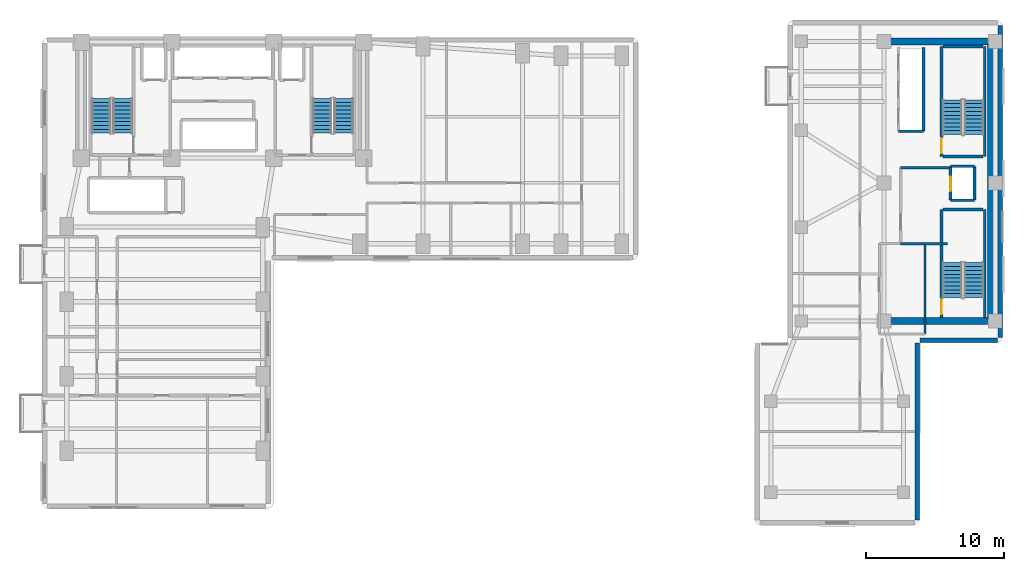
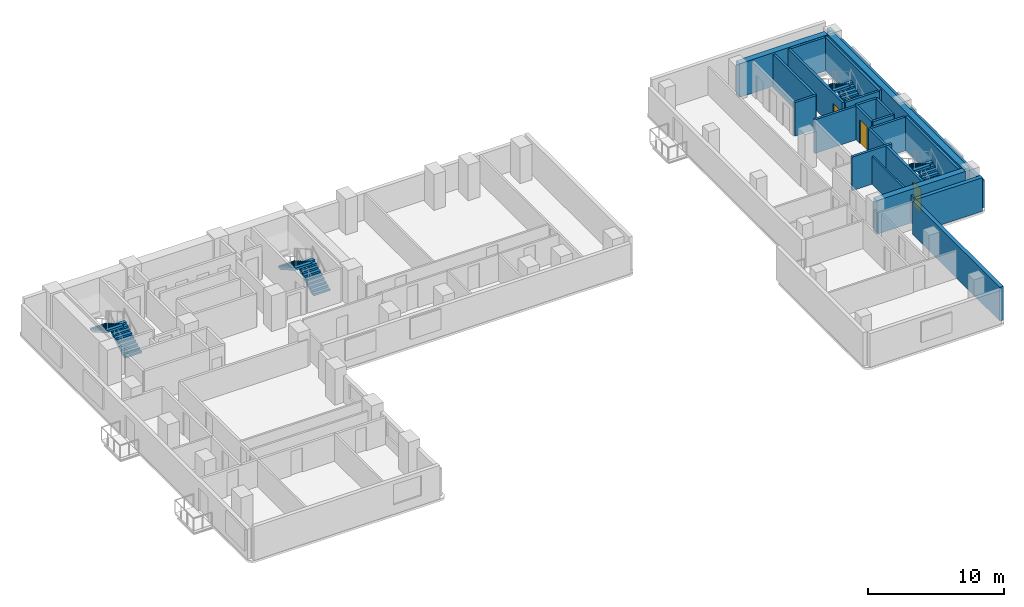
# One storey, part 12 of 15: 22 walls, 8 stair flights, 3 doors, 3 openings, 4 elements without a shape of their own.
"""IFC4 building model written with IfcOpenShell, lengths in metres."""

from ifc_helpers import new_model, si_unit, direction, frame, frame_2d, origin, place, context, subcontext, project, spatial, polyline, rectangle, outline, extrude, material, layer, layer_set, type_object, element, fill, aggregate, save


model = new_model("IFC4")

# Units and contexts
model_context = context("Model", 3, precision=1e-05, world=origin(), true_north=direction((0.0, 1.0)))
body_context = subcontext(model_context, "Body", "Model", "MODEL_VIEW")
ifc_project = project(units=[si_unit("LENGTHUNIT", "METRE"), si_unit("AREAUNIT", "SQUARE_METRE"), si_unit("VOLUMEUNIT", "CUBIC_METRE"), si_unit("PLANEANGLEUNIT", "RADIAN"), si_unit("MASSUNIT", "GRAM", prefix="KILO")], contexts=[model_context])

# Site, building, storey
site_placement = place(None, origin())
site = spatial("IfcSite", under=ifc_project, at=site_placement, CompositionType="ELEMENT")
building_placement = place(site_placement, origin())
building = spatial("IfcBuilding", under=site, at=building_placement, Name="Kuzgunbayir Cultural Tower", CompositionType="ELEMENT")
storey_placement = place(building_placement, frame((0.0, 0.0, 59.60009765625)))
storey = spatial("IfcBuildingStorey", under=building, at=storey_placement, Name="L16", CompositionType="ELEMENT", Elevation=59.60009765625)

# Walls
ifc_material_1 = material(Name="Travertine Buff Ashlar", Category="masonry")
ifc_layer_1 = layer(ifc_material_1, 0.320068359375)
ifc_layer_set_1 = layer_set([ifc_layer_1], Name="Travertine Buff Ashlar")
wall_type_1 = type_object("IfcWallType", Name="WAL-EXT-STONE-320", PredefinedType="STANDARD", material=ifc_layer_set_1)
wall_1_placement = place(storey_placement, frame((73.0, 20.800048828125, 0.0), z_axis=(0.0, 0.0, 1.0), x_axis=(0.0, 1.0, 0.0)))
element("IfcWall", 1, at=wall_1_placement, inside=storey, type_object=wall_type_1, Name="L16 Companion East Limestone Wall", PredefinedType="STANDARD", context=body_context, shape_type="SweptSolid", body=[
    extrude(rectangle(XDim=22.599853515625, YDim=0.320068359375, at=frame_2d((11.2998046875, 0.0))), origin(), (0.0, 0.0, 1.0), 2.5),
])
wall_2_placement = place(storey_placement, frame((67.0, 7.60009765625, 0.0), z_axis=(0.0, 0.0, 1.0), x_axis=(0.0, 1.0, 0.0)))
element("IfcWall", 2, at=wall_2_placement, inside=storey, type_object=wall_type_1, Name="L16 Companion Wing B East Wall", PredefinedType="STANDARD", context=body_context, shape_type="SweptSolid", body=[
    extrude(rectangle(XDim=12.7998046875, YDim=0.320068359375, at=frame_2d((6.39990234375, 0.0))), origin(), (0.0, 0.0, 1.0), 3.02001953125),
])
wall_3_placement = place(storey_placement, frame((67.199951171875, 20.60009765625, 0.0), z_axis=(0.0, 0.0, 1.0), x_axis=(1.0, 0.0, 0.0)))
element("IfcWall", 3, at=wall_3_placement, inside=storey, type_object=wall_type_1, Name="L16 Companion South-East Link", PredefinedType="STANDARD", context=body_context, shape_type="SweptSolid", body=[
    extrude(rectangle(XDim=5.60009765625, YDim=0.320068359375, at=frame_2d((2.800048828125, 0.0))), origin(), (0.0, 0.0, 1.0), 3.02001953125),
])
ifc_material_2 = material(Name="Acoustic Double-Stud Drywall", Category="gypsum")
ifc_layer_2 = layer(ifc_material_2, 0.14990234375)
ifc_layer_set_2 = layer_set([ifc_layer_2], Name="Acoustic Double-Stud Drywall")
wall_type_2 = type_object("IfcWallType", Name="WAL-PART-ACOUSTIC-150", PredefinedType="PARTITIONING", material=ifc_layer_set_2)
wall_4_placement = place(storey_placement, frame((67.550048828125, 21.050048828125, 0.0), z_axis=(0.0, 0.0, 1.0), x_axis=(0.0, 1.0, 0.0)))
element("IfcWall", 4, at=wall_4_placement, inside=storey, type_object=wall_type_2, Name="L16 Companion Archive East Wall", PredefinedType="PARTITIONING", context=body_context, shape_type="SweptSolid", body=[
    extrude(rectangle(XDim=6.469970703125, YDim=0.14990234375, at=frame_2d((3.23486328125, 0.0))), origin(), (0.0, 0.0, 1.0), 2.5),
])
ifc_material_3 = material(Name="Aerated Concrete Blockwork", Category="masonry")
ifc_layer_3 = layer(ifc_material_3, 0.199951171875)
ifc_layer_set_3 = layer_set([ifc_layer_3], Name="Aerated Concrete Blockwork")
wall_type_3 = type_object("IfcWallType", Name="WAL-PART-FIRE-200", PredefinedType="PARTITIONING", material=ifc_layer_set_3)
wall_5_placement = place(storey_placement, frame((65.800048828125, 33.10009765625, 0.0), z_axis=(0.0, 0.0, 1.0), x_axis=(1.0, 0.0, 0.0)))
element("IfcWall", 5, at=wall_5_placement, inside=storey, type_object=wall_type_3, Name="L16 FFL-3 Lobby North Fire Wall", PredefinedType="PARTITIONING", context=body_context, shape_type="SweptSolid", body=[
    extrude(rectangle(XDim=3.599853515625, YDim=0.199951171875, at=frame_2d((1.7998046875, 0.0))), origin(), (0.0, 0.0, 1.0), 3.02001953125),
])
wall_6_placement = place(storey_placement, frame((65.800048828125, 27.60009765625, 0.0), z_axis=(0.0, 0.0, 1.0), x_axis=(1.0, 0.0, 0.0)))
element("IfcWall", 6, at=wall_6_placement, inside=storey, type_object=wall_type_3, Name="L16 FFL-3 Lobby South Fire Wall", PredefinedType="PARTITIONING", context=body_context, shape_type="SweptSolid", body=[
    extrude(rectangle(XDim=3.39990234375, YDim=0.199951171875, at=frame_2d((1.699951171875, 0.0))), origin(), (0.0, 0.0, 1.0), 3.02001953125),
])
ifc_material_4 = material(Name="Concrete C40/50", Category="concrete")
ifc_layer_4 = layer(ifc_material_4, 0.199951171875)
ifc_layer_set_4 = layer_set([ifc_layer_4], Name="Concrete C40/50")
wall_type_4 = type_object("IfcWallType", Name="WAL-SHAFT-200", PredefinedType="MOVABLE", material=ifc_layer_set_4)
wall_7_placement = place(storey_placement, frame((67.449951171875, 35.75, 0.0), z_axis=(0.0, 0.0, 1.0), x_axis=(0.0, 1.0, 0.0)))
element("IfcWall", 7, at=wall_7_placement, inside=storey, type_object=wall_type_4, Name="L16 Companion Lift Shaft Back Wall", PredefinedType="MOVABLE", context=body_context, shape_type="SweptSolid", body=[
    extrude(rectangle(XDim=6.050048828125, YDim=0.199951171875, at=frame_2d((3.02490234375, 0.0))), origin(), (0.0, 0.0, 1.0), 3.02001953125),
])
wall_8_placement = place(storey_placement, frame((65.64990234375, 35.75, 0.0), z_axis=(0.0, 0.0, 1.0), x_axis=(1.0, 0.0, 0.0)))
element("IfcWall", 8, at=wall_8_placement, inside=storey, type_object=wall_type_4, Name="L16 Companion Lift Shaft South Wall", PredefinedType="MOVABLE", context=body_context, shape_type="SweptSolid", body=[
    extrude(rectangle(XDim=1.800048828125, YDim=0.199951171875, at=frame_2d((0.89990234375, 0.0))), origin(), (0.0, 0.0, 1.0), 3.02001953125),
])

# Wall, opening, door
wall_9_placement = place(storey_placement, frame((69.39990234375, 30.75, 0.0), z_axis=(0.0, 0.0, 1.0), x_axis=(0.0, 1.0, 0.0)))
wall_9 = element("IfcWall", 9, at=wall_9_placement, inside=storey, type_object=wall_type_4, Name="L16 FFL-3 Lift Front Wall", PredefinedType="MOVABLE", context=body_context, shape_type="SweptSolid", body=[
    extrude(rectangle(XDim=2.449951171875, YDim=0.199951171875, at=frame_2d((1.22509765625, 0.0))), origin(), (0.0, 0.0, 1.0), 3.02001953125),
])
opening_1_placement = place(wall_9_placement, frame((0.64990234375, 0.0, 0.0)))
opening_1 = element("IfcOpeningElement", 10, at=opening_1_placement, cuts=wall_9, Name="Opening LD", PredefinedType="OPENING", context=body_context, shape_type="SweptSolid", body=[
    extrude(rectangle(XDim=1.050048828125, YDim=2.14990234375, at=frame_2d((0.52490234375, 1.074951171875))), frame((0.0, 0.10986328125, 0.0), z_axis=(0.0, -1.0, 0.0), x_axis=(1.0, 0.0, 0.0)), (0.0, 0.0, 1.0), 0.219970703125),
])
ifc_material_5 = material(Name="Brushed Stainless Steel", Category="steel")
door_type_1 = type_object("IfcDoorType", Name="DR-LIFT-LANDING", OperationType="SLIDING_TO_LEFT", PredefinedType="DOOR", material=ifc_material_5)
door_1_placement = place(opening_1_placement, origin())
door_1 = element("IfcDoor", 11, at=door_1_placement, inside=storey, type_object=door_type_1, Name="L16 Lift FFL-3 Landing Door", OperationType="SLIDING_TO_LEFT", OverallHeight=2.14990234375, OverallWidth=1.050048828125, PredefinedType="DOOR", context=body_context, shape_type="SweptSolid", body=[
    extrude(rectangle(XDim=1.050048828125, YDim=2.14990234375, at=frame_2d((0.52490234375, 1.074951171875))), frame((0.0, 0.02490234375, 0.0), z_axis=(0.0, -1.0, 0.0), x_axis=(1.0, 0.0, 0.0)), (0.0, 0.0, 1.0), 0.050048828125),
])
fill(opening_1, door_1)

# Walls
wall_10_placement = place(storey_placement, frame((71.14990234375, 30.75, 0.0), z_axis=(0.0, 0.0, 1.0), x_axis=(0.0, 1.0, 0.0)))
element("IfcWall", 12, at=wall_10_placement, inside=storey, type_object=wall_type_4, Name="L16 FFL-3 Shaft Back Wall", PredefinedType="MOVABLE", context=body_context, shape_type="SweptSolid", body=[
    extrude(rectangle(XDim=2.449951171875, YDim=0.199951171875, at=frame_2d((1.22509765625, 0.0))), origin(), (0.0, 0.0, 1.0), 3.02001953125),
])
for number, where, z_axis, x_axis, name in (
    (13, (69.39990234375, 33.199951171875, 0.0), (0.0, 0.0, 1.0), (1.0, 0.0, 0.0), "L16 FFL-3 Shaft North Wall"),
    (14, (69.39990234375, 30.75, 0.0), (0.0, 0.0, 1.0), (1.0, 0.0, 0.0), "L16 FFL-3 Shaft South Wall"),
):
    element("IfcWall", number, at=place(storey_placement, frame(where, z_axis=z_axis, x_axis=x_axis)), inside=storey, type_object=wall_type_4, Name=name, PredefinedType="MOVABLE", context=body_context, shape_type="SweptSolid", body=[
        extrude(rectangle(XDim=1.75, YDim=0.199951171875, at=frame_2d((0.875, 0.0))), origin(), (0.0, 0.0, 1.0), 3.02001953125),
    ])

# Wall, opening, door
ifc_layer_5 = layer(ifc_material_4, 0.199951171875)
ifc_layer_set_5 = layer_set([ifc_layer_5], Name="Concrete C40/50")
wall_type_5 = type_object("IfcWallType", Name="WAL-STAIR-RC-200", PredefinedType="SHEAR", material=ifc_layer_set_5)
wall_11_placement = place(storey_placement, frame((68.760009765625, 22.260009765625, 0.0), z_axis=(0.0, 0.0, 1.0), x_axis=(0.0, 1.0, 0.0)))
wall_11 = element("IfcWall", 15, at=wall_11_placement, inside=storey, type_object=wall_type_5, Name="L16 Stair ST-3 West Structural Wall", PredefinedType="SHEAR", context=body_context, shape_type="SweptSolid", body=[
    extrude(rectangle(XDim=7.820068359375, YDim=0.199951171875, at=frame_2d((3.91015625, 0.0))), origin(), (0.0, 0.0, 1.0), 3.02001953125),
])
opening_2_placement = place(wall_11_placement, frame((0.219970703125, 0.0, 0.0)))
opening_2 = element("IfcOpeningElement", 16, at=opening_2_placement, cuts=wall_11, Name="Opening DR-STAIR-90", PredefinedType="OPENING", context=body_context, shape_type="SweptSolid", body=[
    extrude(rectangle(XDim=1.10009765625, YDim=2.14990234375, at=frame_2d((0.550048828125, 1.074951171875))), frame((0.0, 0.10986328125, 0.0), z_axis=(0.0, -1.0, 0.0), x_axis=(1.0, 0.0, 0.0)), (0.0, 0.0, 1.0), 0.219970703125),
])
ifc_material_6 = material(Name="Steel S355J2", Category="steel")
door_type_2 = type_object("IfcDoorType", Name="DR-STAIR-90", OperationType="NOTDEFINED", PredefinedType="DOOR", material=ifc_material_6)
door_2_placement = place(opening_2_placement, origin())
door_2 = element("IfcDoor", 17, at=door_2_placement, inside=storey, type_object=door_type_2, Name="L16 Stair ST-3 Fire Door", OperationType="SINGLE_SWING_RIGHT", OverallHeight=2.14990234375, OverallWidth=1.10009765625, PredefinedType="DOOR", context=body_context, shape_type="SweptSolid", body=[
    extrude(rectangle(XDim=1.10009765625, YDim=2.14990234375, at=frame_2d((0.550048828125, 1.074951171875))), frame((0.0, 0.02490234375, 0.0), z_axis=(0.0, -1.0, 0.0), x_axis=(1.0, 0.0, 0.0)), (0.0, 0.0, 1.0), 0.050048828125),
])
fill(opening_2, door_2)

# Walls
wall_12_placement = place(storey_placement, frame((71.8798828125, 22.260009765625, 0.0), z_axis=(0.0, 0.0, 1.0), x_axis=(0.0, 1.0, 0.0)))
element("IfcWall", 18, at=wall_12_placement, inside=storey, type_object=wall_type_5, Name="L16 Stair ST-3 East Structural Wall", PredefinedType="SHEAR", context=body_context, shape_type="SweptSolid", body=[
    extrude(rectangle(XDim=7.820068359375, YDim=0.199951171875, at=frame_2d((3.91015625, 0.0))), origin(), (0.0, 0.0, 1.0), 3.02001953125),
])
wall_13_placement = place(storey_placement, frame((68.8798828125, 30.080078125, 0.0), z_axis=(0.0, 0.0, 1.0), x_axis=(1.0, 0.0, 0.0)))
element("IfcWall", 19, at=wall_13_placement, inside=storey, type_object=wall_type_5, Name="L16 Stair ST-3 North Structural Wall", PredefinedType="SHEAR", context=body_context, shape_type="SweptSolid", body=[
    extrude(rectangle(XDim=2.880126953125, YDim=0.199951171875, at=frame_2d((1.43994140625, 0.0))), origin(), (0.0, 0.0, 1.0), 3.02001953125),
])

# Wall, opening, door
wall_14_placement = place(storey_placement, frame((68.760009765625, 33.919921875, 0.0), z_axis=(0.0, 0.0, 1.0), x_axis=(0.0, 1.0, 0.0)))
wall_14 = element("IfcWall", 20, at=wall_14_placement, inside=storey, type_object=wall_type_5, Name="L16 Stair ST-4 West Structural Wall", PredefinedType="SHEAR", context=body_context, shape_type="SweptSolid", body=[
    extrude(rectangle(XDim=7.9599609375, YDim=0.199951171875, at=frame_2d((3.97998046875, 0.0))), origin(), (0.0, 0.0, 1.0), 3.02001953125),
])
opening_3_placement = place(wall_14_placement, frame((0.219970703125, 0.0, 0.0)))
opening_3 = element("IfcOpeningElement", 21, at=opening_3_placement, cuts=wall_14, Name="Opening DR-STAIR-90", PredefinedType="OPENING", context=body_context, shape_type="SweptSolid", body=[
    extrude(rectangle(XDim=1.10009765625, YDim=2.14990234375, at=frame_2d((0.550048828125, 1.074951171875))), frame((0.0, 0.10986328125, 0.0), z_axis=(0.0, -1.0, 0.0), x_axis=(1.0, 0.0, 0.0)), (0.0, 0.0, 1.0), 0.219970703125),
])
door_3_placement = place(opening_3_placement, origin())
door_3 = element("IfcDoor", 22, at=door_3_placement, inside=storey, type_object=door_type_2, Name="L16 Stair ST-4 Fire Door", OperationType="SINGLE_SWING_LEFT", OverallHeight=2.14990234375, OverallWidth=1.10009765625, PredefinedType="DOOR", context=body_context, shape_type="SweptSolid", body=[
    extrude(rectangle(XDim=1.10009765625, YDim=2.14990234375, at=frame_2d((0.550048828125, 1.074951171875))), frame((0.0, 0.02490234375, 0.0), z_axis=(0.0, -1.0, 0.0), x_axis=(1.0, 0.0, 0.0)), (0.0, 0.0, 1.0), 0.050048828125),
])
fill(opening_3, door_3)

# Walls
wall_15_placement = place(storey_placement, frame((71.8798828125, 33.919921875, 0.0), z_axis=(0.0, 0.0, 1.0), x_axis=(0.0, 1.0, 0.0)))
element("IfcWall", 23, at=wall_15_placement, inside=storey, type_object=wall_type_5, Name="L16 Stair ST-4 East Structural Wall", PredefinedType="SHEAR", context=body_context, shape_type="SweptSolid", body=[
    extrude(rectangle(XDim=7.9599609375, YDim=0.199951171875, at=frame_2d((3.97998046875, 0.0))), origin(), (0.0, 0.0, 1.0), 3.02001953125),
])
for number, where, z_axis, x_axis, name in (
    (24, (68.8798828125, 41.8798828125, 0.0), (0.0, 0.0, 1.0), (1.0, 0.0, 0.0), "L16 Stair ST-4 North Structural Wall"),
    (25, (68.8798828125, 33.919921875, 0.0), (0.0, 0.0, 1.0), (1.0, 0.0, 0.0), "L16 Stair ST-4 South Structural Wall"),
):
    element("IfcWall", number, at=place(storey_placement, frame(where, z_axis=z_axis, x_axis=x_axis)), inside=storey, type_object=wall_type_5, Name=name, PredefinedType="SHEAR", context=body_context, shape_type="SweptSolid", body=[
        extrude(rectangle(XDim=2.880126953125, YDim=0.199951171875, at=frame_2d((1.43994140625, 0.0))), origin(), (0.0, 0.0, 1.0), 3.02001953125),
    ])
ifc_material_7 = material(Name="Concrete C60/75", Category="concrete")
ifc_layer_6 = layer(ifc_material_7, 0.5)
ifc_layer_set_6 = layer_set([ifc_layer_6], Name="Concrete C60/75")
wall_type_6 = type_object("IfcWallType", Name="WAL-T2-CORE-500", PredefinedType="SHEAR", material=ifc_layer_set_6)
wall_16_placement = place(storey_placement, frame((72.35009765625, 22.0, 0.0), z_axis=(0.0, 0.0, 1.0), x_axis=(0.0, 1.0, 0.0)))
element("IfcWall", 26, at=wall_16_placement, inside=storey, type_object=wall_type_6, Name="L16 Companion Core East Shear Wall", PredefinedType="SHEAR", context=body_context, shape_type="SweptSolid", body=[
    extrude(rectangle(XDim=20.25, YDim=0.5, at=frame_2d((10.125, 0.0))), origin(), (0.0, 0.0, 1.0), 3.02001953125),
])
for number, where, z_axis, x_axis, name in (
    (27, (64.60009765625, 42.25, 0.0), (0.0, 0.0, 1.0), (1.0, 0.0, 0.0), "L16 Companion Core North Shear Wall"),
    (28, (64.60009765625, 22.0, 0.0), (0.0, 0.0, 1.0), (1.0, 0.0, 0.0), "L16 Companion Core South Shear Wall"),
):
    element("IfcWall", number, at=place(storey_placement, frame(where, z_axis=z_axis, x_axis=x_axis)), inside=storey, type_object=wall_type_6, Name=name, PredefinedType="SHEAR", context=body_context, shape_type="SweptSolid", body=[
        extrude(rectangle(XDim=7.5, YDim=0.5, at=frame_2d((3.75, 0.0))), origin(), (0.0, 0.0, 1.0), 3.02001953125),
    ])

# Stair, stair flights
stair_type = type_object("IfcStairType", Name="STR-EXIT-CORE", PredefinedType="HALF_TURN_STAIR", material=ifc_material_4)
stair_1_placement = place(storey_placement, origin())
stair_1 = element("IfcStair", 29, at=stair_1_placement, inside=storey, type_object=stair_type, Name="L16 ST-1", PredefinedType="HALF_TURN_STAIR")
stair_flight_type = type_object("IfcStairFlightType", Name="STRF-RC-140", PredefinedType="STRAIGHT", material=ifc_material_4)
stair_flight_1_placement = place(storey_placement, frame((9.4599609375, 35.60009765625, 0.0), z_axis=(0.0, 0.0, 1.0), x_axis=(0.0, 1.0, 0.0)))
stair_flight_1 = element("IfcStairFlight", 30, at=stair_flight_1_placement, type_object=stair_flight_type, Name="ST-1 flight 1", NumberOfRisers=10, NumberOfTreads=9, PredefinedType="STRAIGHT", RiserHeight=0.16, TreadLength=0.28, context=body_context, shape_type="SweptSolid", body=[
    extrude(outline(polyline([(0.0, 0.0), (0.0, 0.159912109375), (0.280029296875, 0.159912109375), (0.280029296875, 0.320068359375), (0.56005859375, 0.320068359375), (0.56005859375, 0.47998046875), (0.840087890625, 0.47998046875), (0.840087890625, 0.639892578125), (1.1201171875, 0.639892578125), (1.1201171875, 0.800048828125), (1.39990234375, 0.800048828125), (1.39990234375, 0.9599609375), (1.679931640625, 0.9599609375), (1.679931640625, 1.1201171875), (1.9599609375, 1.1201171875), (1.9599609375, 1.280029296875), (2.239990234375, 1.280029296875), (2.239990234375, 1.43994140625), (2.52001953125, 1.43994140625), (2.52001953125, 1.60009765625), (2.52001953125, 1.232666015625), (0.362548828125, 0.0), (0.0, 0.0)])), frame((0.0, 0.699951171875, 0.0), z_axis=(0.0, -1.0, 0.0), x_axis=(1.0, 0.0, 0.0)), (0.0, 0.0, 1.0), 1.39990234375),
])
stair_flight_2_placement = place(storey_placement, frame((7.89990234375, 38.1201171875, 1.599853515625), z_axis=(0.0, 0.0, 1.0), x_axis=(0.0, -1.0, 0.0)))
stair_flight_2 = element("IfcStairFlight", 31, at=stair_flight_2_placement, type_object=stair_flight_type, Name="ST-1 flight 2", NumberOfRisers=10, NumberOfTreads=9, PredefinedType="STRAIGHT", RiserHeight=0.16, TreadLength=0.28, context=body_context, shape_type="SweptSolid", body=[
    extrude(outline(polyline([(0.0, 0.0), (0.0, 0.159912109375), (0.280029296875, 0.159912109375), (0.280029296875, 0.320068359375), (0.56005859375, 0.320068359375), (0.56005859375, 0.47998046875), (0.840087890625, 0.47998046875), (0.840087890625, 0.639892578125), (1.1201171875, 0.639892578125), (1.1201171875, 0.800048828125), (1.39990234375, 0.800048828125), (1.39990234375, 0.9599609375), (1.679931640625, 0.9599609375), (1.679931640625, 1.1201171875), (1.9599609375, 1.1201171875), (1.9599609375, 1.280029296875), (2.239990234375, 1.280029296875), (2.239990234375, 1.43994140625), (2.52001953125, 1.43994140625), (2.52001953125, 1.60009765625), (2.52001953125, 1.232666015625), (0.362548828125, 0.0), (0.0, 0.0)])), frame((0.0, 0.699951171875, 0.0), z_axis=(0.0, -1.0, 0.0), x_axis=(1.0, 0.0, 0.0)), (0.0, 0.0, 1.0), 1.39990234375),
])
aggregate(stair_1, [stair_flight_1, stair_flight_2])

stair_2_placement = place(storey_placement, origin())
stair_2 = element("IfcStair", 32, at=stair_2_placement, inside=storey, type_object=stair_type, Name="L16 ST-2", PredefinedType="HALF_TURN_STAIR")
stair_flight_3_placement = place(storey_placement, frame((25.4599609375, 35.60009765625, 0.0), z_axis=(0.0, 0.0, 1.0), x_axis=(0.0, 1.0, 0.0)))
stair_flight_3 = element("IfcStairFlight", 33, at=stair_flight_3_placement, type_object=stair_flight_type, Name="ST-2 flight 1", NumberOfRisers=10, NumberOfTreads=9, PredefinedType="STRAIGHT", RiserHeight=0.16, TreadLength=0.28, context=body_context, shape_type="SweptSolid", body=[
    extrude(outline(polyline([(0.0, 0.0), (0.0, 0.159912109375), (0.280029296875, 0.159912109375), (0.280029296875, 0.320068359375), (0.56005859375, 0.320068359375), (0.56005859375, 0.47998046875), (0.840087890625, 0.47998046875), (0.840087890625, 0.639892578125), (1.1201171875, 0.639892578125), (1.1201171875, 0.800048828125), (1.39990234375, 0.800048828125), (1.39990234375, 0.9599609375), (1.679931640625, 0.9599609375), (1.679931640625, 1.1201171875), (1.9599609375, 1.1201171875), (1.9599609375, 1.280029296875), (2.239990234375, 1.280029296875), (2.239990234375, 1.43994140625), (2.52001953125, 1.43994140625), (2.52001953125, 1.60009765625), (2.52001953125, 1.232666015625), (0.362548828125, 0.0), (0.0, 0.0)])), frame((0.0, 0.699951171875, 0.0), z_axis=(0.0, -1.0, 0.0), x_axis=(1.0, 0.0, 0.0)), (0.0, 0.0, 1.0), 1.39990234375),
])
stair_flight_4_placement = place(storey_placement, frame((23.89990234375, 38.1201171875, 1.599853515625), z_axis=(0.0, 0.0, 1.0), x_axis=(0.0, -1.0, 0.0)))
stair_flight_4 = element("IfcStairFlight", 34, at=stair_flight_4_placement, type_object=stair_flight_type, Name="ST-2 flight 2", NumberOfRisers=10, NumberOfTreads=9, PredefinedType="STRAIGHT", RiserHeight=0.16, TreadLength=0.28, context=body_context, shape_type="SweptSolid", body=[
    extrude(outline(polyline([(0.0, 0.0), (0.0, 0.159912109375), (0.280029296875, 0.159912109375), (0.280029296875, 0.320068359375), (0.56005859375, 0.320068359375), (0.56005859375, 0.47998046875), (0.840087890625, 0.47998046875), (0.840087890625, 0.639892578125), (1.1201171875, 0.639892578125), (1.1201171875, 0.800048828125), (1.39990234375, 0.800048828125), (1.39990234375, 0.9599609375), (1.679931640625, 0.9599609375), (1.679931640625, 1.1201171875), (1.9599609375, 1.1201171875), (1.9599609375, 1.280029296875), (2.239990234375, 1.280029296875), (2.239990234375, 1.43994140625), (2.52001953125, 1.43994140625), (2.52001953125, 1.60009765625), (2.52001953125, 1.232666015625), (0.362548828125, 0.0), (0.0, 0.0)])), frame((0.0, 0.699951171875, 0.0), z_axis=(0.0, -1.0, 0.0), x_axis=(1.0, 0.0, 0.0)), (0.0, 0.0, 1.0), 1.39990234375),
])
aggregate(stair_2, [stair_flight_3, stair_flight_4])

stair_3_placement = place(storey_placement, origin())
stair_3 = element("IfcStair", 35, at=stair_3_placement, inside=storey, type_object=stair_type, Name="L16 ST-3", PredefinedType="HALF_TURN_STAIR")
stair_flight_5_placement = place(storey_placement, frame((71.10009765625, 23.699951171875, 0.0), z_axis=(0.0, 0.0, 1.0), x_axis=(0.0, 1.0, 0.0)))
stair_flight_5 = element("IfcStairFlight", 36, at=stair_flight_5_placement, type_object=stair_flight_type, Name="ST-3 flight 1", NumberOfRisers=10, NumberOfTreads=9, PredefinedType="STRAIGHT", RiserHeight=0.16, TreadLength=0.28, context=body_context, shape_type="SweptSolid", body=[
    extrude(outline(polyline([(0.0, 0.0), (0.0, 0.159912109375), (0.280029296875, 0.159912109375), (0.280029296875, 0.320068359375), (0.56005859375, 0.320068359375), (0.56005859375, 0.47998046875), (0.840087890625, 0.47998046875), (0.840087890625, 0.639892578125), (1.1201171875, 0.639892578125), (1.1201171875, 0.800048828125), (1.39990234375, 0.800048828125), (1.39990234375, 0.9599609375), (1.679931640625, 0.9599609375), (1.679931640625, 1.1201171875), (1.9599609375, 1.1201171875), (1.9599609375, 1.280029296875), (2.239990234375, 1.280029296875), (2.239990234375, 1.43994140625), (2.52001953125, 1.43994140625), (2.52001953125, 1.60009765625), (2.52001953125, 1.232666015625), (0.362548828125, 0.0), (0.0, 0.0)])), frame((0.0, 0.699951171875, 0.0), z_axis=(0.0, -1.0, 0.0), x_axis=(1.0, 0.0, 0.0)), (0.0, 0.0, 1.0), 1.39990234375),
])
stair_flight_6_placement = place(storey_placement, frame((69.5400390625, 26.219970703125, 1.599853515625), z_axis=(0.0, 0.0, 1.0), x_axis=(0.0, -1.0, 0.0)))
stair_flight_6 = element("IfcStairFlight", 37, at=stair_flight_6_placement, type_object=stair_flight_type, Name="ST-3 flight 2", NumberOfRisers=10, NumberOfTreads=9, PredefinedType="STRAIGHT", RiserHeight=0.16, TreadLength=0.28, context=body_context, shape_type="SweptSolid", body=[
    extrude(outline(polyline([(0.0, 0.0), (0.0, 0.159912109375), (0.280029296875, 0.159912109375), (0.280029296875, 0.320068359375), (0.56005859375, 0.320068359375), (0.56005859375, 0.47998046875), (0.840087890625, 0.47998046875), (0.840087890625, 0.639892578125), (1.1201171875, 0.639892578125), (1.1201171875, 0.800048828125), (1.39990234375, 0.800048828125), (1.39990234375, 0.9599609375), (1.679931640625, 0.9599609375), (1.679931640625, 1.1201171875), (1.9599609375, 1.1201171875), (1.9599609375, 1.280029296875), (2.239990234375, 1.280029296875), (2.239990234375, 1.43994140625), (2.52001953125, 1.43994140625), (2.52001953125, 1.60009765625), (2.52001953125, 1.232666015625), (0.362548828125, 0.0), (0.0, 0.0)])), frame((0.0, 0.699951171875, 0.0), z_axis=(0.0, -1.0, 0.0), x_axis=(1.0, 0.0, 0.0)), (0.0, 0.0, 1.0), 1.39990234375),
])
aggregate(stair_3, [stair_flight_5, stair_flight_6])

stair_4_placement = place(storey_placement, origin())
stair_4 = element("IfcStair", 38, at=stair_4_placement, inside=storey, type_object=stair_type, Name="L16 ST-4", PredefinedType="HALF_TURN_STAIR")
stair_flight_7_placement = place(storey_placement, frame((71.10009765625, 35.5, 0.0), z_axis=(0.0, 0.0, 1.0), x_axis=(0.0, 1.0, 0.0)))
stair_flight_7 = element("IfcStairFlight", 39, at=stair_flight_7_placement, type_object=stair_flight_type, Name="ST-4 flight 1", NumberOfRisers=10, NumberOfTreads=9, PredefinedType="STRAIGHT", RiserHeight=0.16, TreadLength=0.28, context=body_context, shape_type="SweptSolid", body=[
    extrude(outline(polyline([(0.0, 0.0), (0.0, 0.159912109375), (0.280029296875, 0.159912109375), (0.280029296875, 0.320068359375), (0.56005859375, 0.320068359375), (0.56005859375, 0.47998046875), (0.840087890625, 0.47998046875), (0.840087890625, 0.639892578125), (1.1201171875, 0.639892578125), (1.1201171875, 0.800048828125), (1.39990234375, 0.800048828125), (1.39990234375, 0.9599609375), (1.679931640625, 0.9599609375), (1.679931640625, 1.1201171875), (1.9599609375, 1.1201171875), (1.9599609375, 1.280029296875), (2.239990234375, 1.280029296875), (2.239990234375, 1.43994140625), (2.52001953125, 1.43994140625), (2.52001953125, 1.60009765625), (2.52001953125, 1.232666015625), (0.362548828125, 0.0), (0.0, 0.0)])), frame((0.0, 0.699951171875, 0.0), z_axis=(0.0, -1.0, 0.0), x_axis=(1.0, 0.0, 0.0)), (0.0, 0.0, 1.0), 1.39990234375),
])
stair_flight_8_placement = place(storey_placement, frame((69.5400390625, 38.02001953125, 1.599853515625), z_axis=(0.0, 0.0, 1.0), x_axis=(0.0, -1.0, 0.0)))
stair_flight_8 = element("IfcStairFlight", 40, at=stair_flight_8_placement, type_object=stair_flight_type, Name="ST-4 flight 2", NumberOfRisers=10, NumberOfTreads=9, PredefinedType="STRAIGHT", RiserHeight=0.16, TreadLength=0.28, context=body_context, shape_type="SweptSolid", body=[
    extrude(outline(polyline([(0.0, 0.0), (0.0, 0.159912109375), (0.280029296875, 0.159912109375), (0.280029296875, 0.320068359375), (0.56005859375, 0.320068359375), (0.56005859375, 0.47998046875), (0.840087890625, 0.47998046875), (0.840087890625, 0.639892578125), (1.1201171875, 0.639892578125), (1.1201171875, 0.800048828125), (1.39990234375, 0.800048828125), (1.39990234375, 0.9599609375), (1.679931640625, 0.9599609375), (1.679931640625, 1.1201171875), (1.9599609375, 1.1201171875), (1.9599609375, 1.280029296875), (2.239990234375, 1.280029296875), (2.239990234375, 1.43994140625), (2.52001953125, 1.43994140625), (2.52001953125, 1.60009765625), (2.52001953125, 1.232666015625), (0.362548828125, 0.0), (0.0, 0.0)])), frame((0.0, 0.699951171875, 0.0), z_axis=(0.0, -1.0, 0.0), x_axis=(1.0, 0.0, 0.0)), (0.0, 0.0, 1.0), 1.39990234375),
])
aggregate(stair_4, [stair_flight_7, stair_flight_8])

save(model, "model.ifc")
